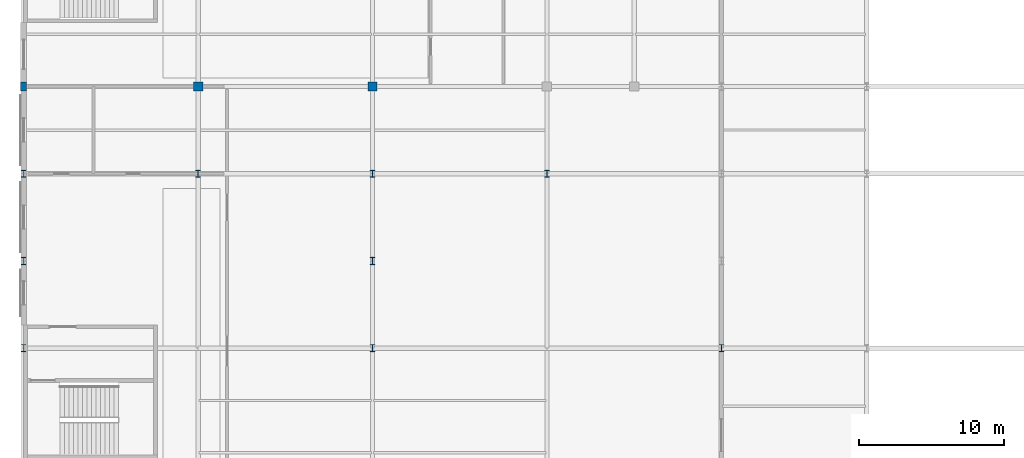
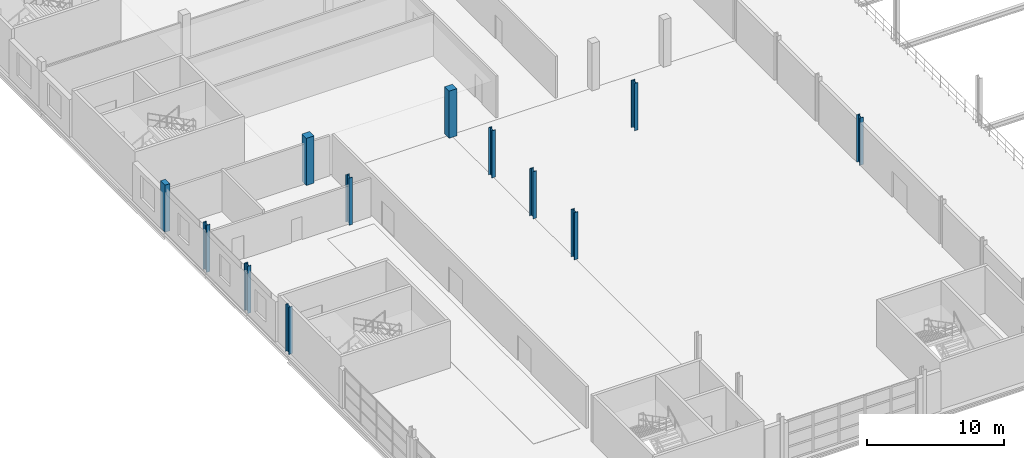
# One storey, part 8 of 158: 12 columns.
"""IFC4 building model written with IfcOpenShell, lengths in metres."""

from ifc_helpers import new_model, si_unit, direction, frame, origin, origin_2d, place, context, subcontext, project, spatial, rectangle, i_section, extrude, material, material_profile, profile_set, type_object, element, save


model = new_model("IFC4")

# Units and contexts
model_context = context("Model", 3, precision=1e-05, world=origin(), true_north=direction((0.0, 1.0)))
body_context = subcontext(model_context, "Body", "Model", "MODEL_VIEW")
ifc_project = project(units=[si_unit("LENGTHUNIT", "METRE"), si_unit("AREAUNIT", "SQUARE_METRE"), si_unit("VOLUMEUNIT", "CUBIC_METRE"), si_unit("PLANEANGLEUNIT", "RADIAN"), si_unit("MASSUNIT", "GRAM", prefix="KILO")], contexts=[model_context])

# Site, building, storey
site_placement = place(None, origin())
site = spatial("IfcSite", under=ifc_project, at=site_placement, CompositionType="ELEMENT")
building_placement = place(site_placement, origin())
building = spatial("IfcBuilding", under=site, at=building_placement, Name="Zilviju Railside Exhibition Hall", CompositionType="ELEMENT")
storey_placement = place(building_placement, frame((0.0, 0.0, 4.199951171875)))
storey = spatial("IfcBuildingStorey", under=building, at=storey_placement, Name="L02", CompositionType="ELEMENT", Elevation=4.199951171875)

# Columns
ifc_material_1 = material(Name="Concrete C35/45", Category="concrete")
ifc_material_profile_1 = material_profile(ifc_material_1, rectangle(XDim=0.64990234375, YDim=0.64990234375, at=origin_2d()), Name="RC COL 650x650")
ifc_profile_set_1 = profile_set([ifc_material_profile_1], Name="Concrete C35/45")
column_type_1 = type_object("IfcColumnType", Name="COL-RC-650", PredefinedType="COLUMN", material=ifc_profile_set_1)
for number, where, z_axis, x_axis, name in (
    (1, (12.0, 84.0, 0.0), (0.0, 0.0, 1.0), (1.0, 0.0, 0.0), "Structural Column L02 (12.0, 84.0)"),
    (2, (24.0, 84.0, 0.0), (0.0, 0.0, 1.0), (1.0, 0.0, 0.0), "Structural Column L02 (24.0, 84.0)"),
):
    element("IfcColumn", number, at=place(storey_placement, frame(where, z_axis=z_axis, x_axis=x_axis)), inside=storey, type_object=column_type_1, Name=name, PredefinedType="COLUMN", context=body_context, shape_type="SweptSolid", body=[
        extrude(rectangle(XDim=0.64990234375, YDim=0.64990234375, at=origin_2d()), origin(), (0.0, 0.0, 1.0), 4.199951171875),
    ])
ifc_material_2 = material(Name="Steel S355J2", Category="steel")
ifc_material_profile_2 = material_profile(ifc_material_2, i_section(OverallWidth=0.300048828125, OverallDepth=0.5, WebThickness=0.014404296875, FlangeThickness=0.028076171875, at=origin_2d()), Name="HEB 500")
ifc_profile_set_2 = profile_set([ifc_material_profile_2], Name="Steel S355J2")
column_type_2 = type_object("IfcColumnType", Name="COL-ST-HEB500", PredefinedType="COLUMN", material=ifc_profile_set_2)
for number, where, z_axis, x_axis, name in (
    (3, (0.0, 66.0, 0.0), (0.0, 0.0, 1.0), (1.0, 0.0, 0.0), "Structural Column L02 (0.0, 66.0)"),
    (4, (24.0, 66.0, 0.0), (0.0, 0.0, 1.0), (1.0, 0.0, 0.0), "Structural Column L02 (24.0, 66.0)"),
    (5, (48.0, 66.0, 0.0), (0.0, 0.0, 1.0), (1.0, 0.0, 0.0), "Structural Column L02 (48.0, 66.0)"),
    (6, (0.0, 72.0, 0.0), (0.0, 0.0, 1.0), (1.0, 0.0, 0.0), "Structural Column L02 (0.0, 72.0)"),
    (7, (24.0, 72.0, 0.0), (0.0, 0.0, 1.0), (1.0, 0.0, 0.0), "Structural Column L02 (24.0, 72.0)"),
    (8, (0.0, 78.0, 0.0), (0.0, 0.0, 1.0), (1.0, 0.0, 0.0), "Structural Column L02 (0.0, 78.0)"),
    (9, (12.0, 78.0, 0.0), (0.0, 0.0, 1.0), (1.0, 0.0, 0.0), "Structural Column L02 (12.0, 78.0)"),
    (10, (24.0, 78.0, 0.0), (0.0, 0.0, 1.0), (1.0, 0.0, 0.0), "Structural Column L02 (24.0, 78.0)"),
    (11, (36.0, 78.0, 0.0), (0.0, 0.0, 1.0), (1.0, 0.0, 0.0), "Structural Column L02 (36.0, 78.0)"),
):
    element("IfcColumn", number, at=place(storey_placement, frame(where, z_axis=z_axis, x_axis=x_axis)), inside=storey, type_object=column_type_2, Name=name, PredefinedType="COLUMN", context=body_context, shape_type="SweptSolid", body=[
        extrude(i_section(OverallWidth=0.300048828125, OverallDepth=0.5, WebThickness=0.014404296875, FlangeThickness=0.028076171875, at=origin_2d()), origin(), (0.0, 0.0, 1.0), 4.199951171875),
    ])
ifc_material_profile_3 = material_profile(ifc_material_1, rectangle(XDim=0.39990234375, YDim=0.64990234375, at=origin_2d()), Name="RC COL 400x650")
ifc_profile_set_3 = profile_set([ifc_material_profile_3], Name="Concrete C35/45")
column_type_3 = type_object("IfcColumnType", Name="PIL-RC-650x400", PredefinedType="PILASTER", material=ifc_profile_set_3)
column_placement = place(storey_placement, frame((0.0, 84.0, 0.0), z_axis=(0.0, 0.0, 1.0), x_axis=(1.0, 0.0, 0.0)))
element("IfcColumn", 12, at=column_placement, inside=storey, type_object=column_type_3, Name="Structural Column L02 (0.0, 84.0)", PredefinedType="PILASTER", context=body_context, shape_type="SweptSolid", body=[
    extrude(rectangle(XDim=0.39990234375, YDim=0.64990234375, at=origin_2d()), origin(), (0.0, 0.0, 1.0), 4.199951171875),
])

save(model, "model.ifc")
